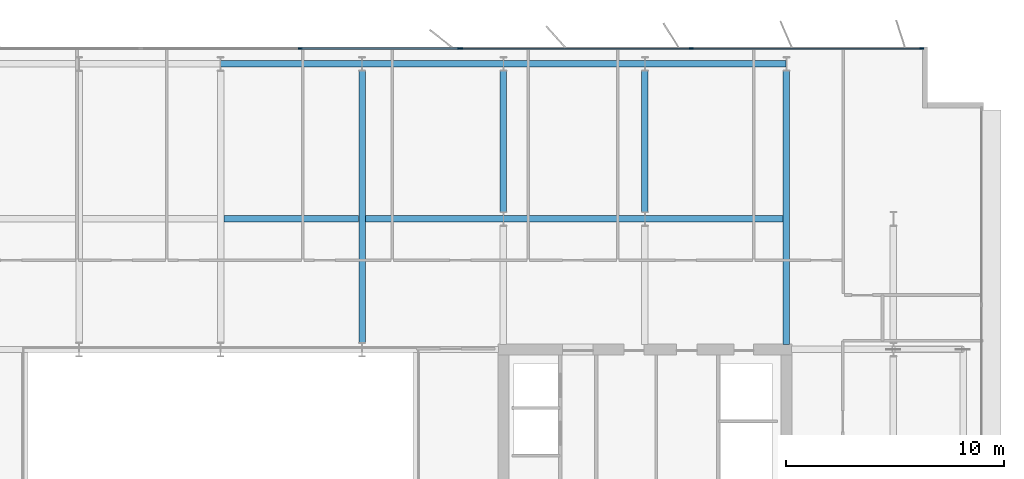
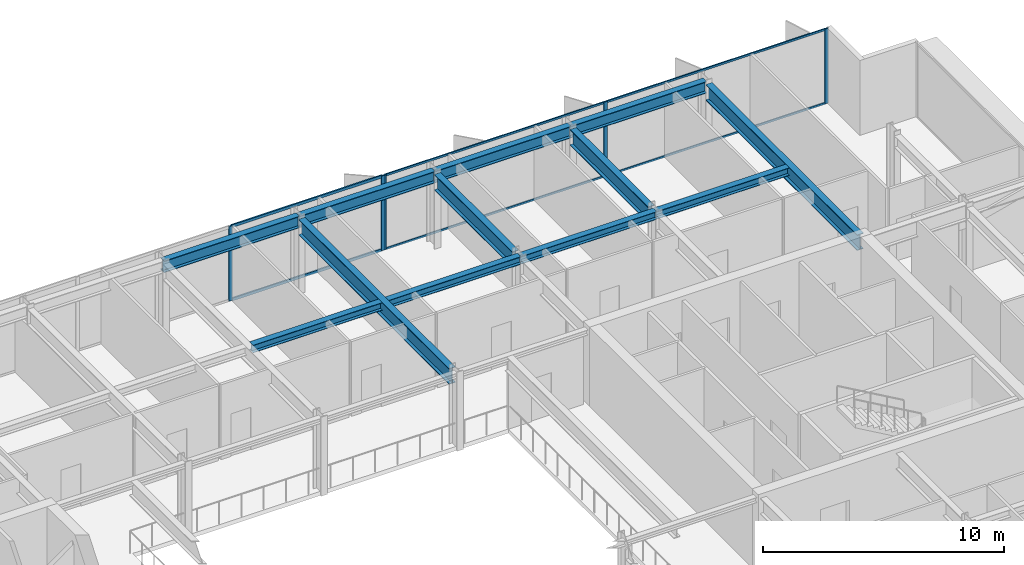
# One storey, part 9 of 20: 12 beams, 11 members, 2 elements without a shape of their own.
"""IFC4 building model written with IfcOpenShell, lengths in metres."""

from ifc_helpers import new_model, si_unit, direction, frame, origin, origin_2d, place, context, subcontext, project, spatial, rectangle, i_section, extrude, material, layer, layer_set, material_profile, profile_set, type_object, element, aggregate, save


model = new_model("IFC4")

# Units and contexts
model_context = context("Model", 3, precision=1e-05, world=origin(), true_north=direction((0.0, 1.0)))
body_context = subcontext(model_context, "Body", "Model", "MODEL_VIEW")
ifc_project = project(units=[si_unit("LENGTHUNIT", "METRE"), si_unit("AREAUNIT", "SQUARE_METRE"), si_unit("VOLUMEUNIT", "CUBIC_METRE"), si_unit("PLANEANGLEUNIT", "RADIAN"), si_unit("MASSUNIT", "GRAM", prefix="KILO")], contexts=[model_context])

# Site, building, storey
site_placement = place(None, origin())
site = spatial("IfcSite", under=ifc_project, at=site_placement, CompositionType="ELEMENT")
building_placement = place(site_placement, origin())
building = spatial("IfcBuilding", under=site, at=building_placement, Name="Putna Gate Headquarters", CompositionType="ELEMENT")
storey_placement = place(building_placement, frame((0.0, 0.0, 302.39990234375)))
storey = spatial("IfcBuildingStorey", under=building, at=storey_placement, Name="L76", CompositionType="ELEMENT", Elevation=302.39990234375)

# Beams
ifc_material_1 = material(Name="Steel S355J2", Category="steel")
ifc_material_profile_1 = material_profile(ifc_material_1, i_section(OverallWidth=0.300048828125, OverallDepth=0.800048828125, WebThickness=0.017578125, FlangeThickness=0.032958984375, at=origin_2d()), Name="Steel S355J2")
ifc_profile_set_1 = profile_set([ifc_material_profile_1], Name="Steel S355J2")
beam_type_1 = type_object("IfcBeamType", Name="BM-GIRD-P-HEB800", PredefinedType="USERDEFINED", material=ifc_profile_set_1)
beam_1_placement = place(storey_placement, frame((45.5, 33.322021484375, 3.38818359375), z_axis=(0.0, 1.0, 0.0), x_axis=(-1.0, 0.0, 0.0)))
element("IfcBeam", 1, at=beam_1_placement, inside=storey, type_object=beam_type_1, Name="L76 North Primary Girder X45", ObjectType="GIRDER", PredefinedType="USERDEFINED", context=body_context, shape_type="SweptSolid", body=[
    extrude(i_section(OverallWidth=0.300048828125, OverallDepth=0.800048828125, WebThickness=0.017578125, FlangeThickness=0.032958984375, at=origin_2d()), origin(), (0.0, 0.0, 1.0), 12.47607421875),
])
for number, where, z_axis, x_axis, name in (
    (2, (52.0, 39.322021484375, 3.38818359375), (0.0, 1.0, 0.0), (-1.0, 0.0, 0.0), "L76 North Primary Girder X52-2"),
    (3, (58.5, 39.322021484375, 3.38818359375), (0.0, 1.0, 0.0), (-1.0, 0.0, 0.0), "L76 North Primary Girder X58-2"),
):
    element("IfcBeam", number, at=place(storey_placement, frame(where, z_axis=z_axis, x_axis=x_axis)), inside=storey, type_object=beam_type_1, Name=name, ObjectType="GIRDER", PredefinedType="USERDEFINED", context=body_context, shape_type="SweptSolid", body=[
        extrude(i_section(OverallWidth=0.300048828125, OverallDepth=0.800048828125, WebThickness=0.017578125, FlangeThickness=0.032958984375, at=origin_2d()), origin(), (0.0, 0.0, 1.0), 6.47607421875),
    ])
beam_2_placement = place(storey_placement, frame((65.0, 33.235107421875, 3.38818359375), z_axis=(0.0, 1.0, 0.0), x_axis=(-1.0, 0.0, 0.0)))
element("IfcBeam", 4, at=beam_2_placement, inside=storey, type_object=beam_type_1, Name="L76 North Primary Girder X65", ObjectType="GIRDER", PredefinedType="USERDEFINED", context=body_context, shape_type="SweptSolid", body=[
    extrude(i_section(OverallWidth=0.300048828125, OverallDepth=0.800048828125, WebThickness=0.017578125, FlangeThickness=0.032958984375, at=origin_2d()), origin(), (0.0, 0.0, 1.0), 12.56298828125),
])
ifc_material_profile_2 = material_profile(ifc_material_1, i_section(OverallWidth=0.300048828125, OverallDepth=0.389892578125, WebThickness=0.010986328125, FlangeThickness=0.01904296875, at=origin_2d()), Name="Steel S355J2")
ifc_profile_set_2 = profile_set([ifc_material_profile_2], Name="Steel S355J2")
beam_type_2 = type_object("IfcBeamType", Name="BM-SEC-Z5-HEA400", PredefinedType="BEAM", material=ifc_profile_set_2)
beam_3_placement = place(storey_placement, frame((39.154052734375, 39.0, 3.593017578125), z_axis=(1.0, 0.0, 0.0), x_axis=(0.0, 1.0, 0.0)))
element("IfcBeam", 5, at=beam_3_placement, inside=storey, type_object=beam_type_2, Name="L76 North Secondary Beam 5", PredefinedType="BEAM", context=body_context, shape_type="SweptSolid", body=[
    extrude(i_section(OverallWidth=0.300048828125, OverallDepth=0.389892578125, WebThickness=0.010986328125, FlangeThickness=0.01904296875, at=origin_2d()), origin(), (0.0, 0.0, 1.0), 6.19189453125),
])
beam_4_placement = place(storey_placement, frame((45.654052734375, 39.0, 3.593017578125), z_axis=(1.0, 0.0, 0.0), x_axis=(0.0, 1.0, 0.0)))
element("IfcBeam", 6, at=beam_4_placement, inside=storey, type_object=beam_type_2, Name="L76 North Secondary Beam 6", PredefinedType="BEAM", context=body_context, shape_type="SweptSolid", body=[
    extrude(i_section(OverallWidth=0.300048828125, OverallDepth=0.389892578125, WebThickness=0.010986328125, FlangeThickness=0.01904296875, at=origin_2d()), origin(), (0.0, 0.0, 1.0), 6.33984375),
])
beam_5_placement = place(storey_placement, frame((52.006103515625, 39.0, 3.593017578125), z_axis=(1.0, 0.0, 0.0), x_axis=(0.0, 1.0, 0.0)))
element("IfcBeam", 7, at=beam_5_placement, inside=storey, type_object=beam_type_2, Name="L76 North Secondary Beam 7", PredefinedType="BEAM", context=body_context, shape_type="SweptSolid", body=[
    extrude(i_section(OverallWidth=0.300048828125, OverallDepth=0.389892578125, WebThickness=0.010986328125, FlangeThickness=0.01904296875, at=origin_2d()), origin(), (0.0, 0.0, 1.0), 6.48779296875),
])
beam_6_placement = place(storey_placement, frame((58.506103515625, 39.0, 3.593017578125), z_axis=(1.0, 0.0, 0.0), x_axis=(0.0, 1.0, 0.0)))
element("IfcBeam", 8, at=beam_6_placement, inside=storey, type_object=beam_type_2, Name="L76 North Secondary Beam 8", PredefinedType="BEAM", context=body_context, shape_type="SweptSolid", body=[
    extrude(i_section(OverallWidth=0.300048828125, OverallDepth=0.389892578125, WebThickness=0.010986328125, FlangeThickness=0.01904296875, at=origin_2d()), origin(), (0.0, 0.0, 1.0), 6.33984375),
])
ifc_material_profile_3 = material_profile(ifc_material_1, i_section(OverallWidth=0.300048828125, OverallDepth=0.590087890625, WebThickness=0.012939453125, FlangeThickness=0.02490234375, at=origin_2d()), Name="Steel S355J2")
ifc_profile_set_3 = profile_set([ifc_material_profile_3], Name="Steel S355J2")
beam_type_3 = type_object("IfcBeamType", Name="BM-SPAN-Z4-HEA600", PredefinedType="SPANDREL", material=ifc_profile_set_3)
for number, where, z_axis, x_axis, name in (
    (9, (39.006103515625, 46.1201171875, 3.4931640625), (1.0, 0.0, 0.0), (0.0, 1.0, 0.0), "L76 N Perimeter Spandrel 5"),
    (10, (45.506103515625, 46.1201171875, 3.4931640625), (1.0, 0.0, 0.0), (0.0, 1.0, 0.0), "L76 N Perimeter Spandrel 6"),
    (11, (52.006103515625, 46.1201171875, 3.4931640625), (1.0, 0.0, 0.0), (0.0, 1.0, 0.0), "L76 N Perimeter Spandrel 7"),
    (12, (58.506103515625, 46.1201171875, 3.4931640625), (1.0, 0.0, 0.0), (0.0, 1.0, 0.0), "L76 N Perimeter Spandrel 8"),
):
    element("IfcBeam", number, at=place(storey_placement, frame(where, z_axis=z_axis, x_axis=x_axis)), inside=storey, type_object=beam_type_3, Name=name, PredefinedType="SPANDREL", context=body_context, shape_type="SweptSolid", body=[
        extrude(i_section(OverallWidth=0.300048828125, OverallDepth=0.590087890625, WebThickness=0.012939453125, FlangeThickness=0.02490234375, at=origin_2d()), origin(), (0.0, 0.0, 1.0), 6.48779296875),
    ])

# Curtain wall, members
ifc_material_2 = material(Name="Anodised bronze aluminium curtain wall", Category="aluminium")
ifc_layer_1 = layer(ifc_material_2, 0.179931640625)
ifc_layer_set_1 = layer_set([ifc_layer_1], Name="Anodised bronze aluminium curtain wall")
curtain_wall_type_1 = type_object("IfcCurtainWallType", Name="CW-SYS-Z5", PredefinedType="USERDEFINED", material=ifc_layer_set_1)
curtain_wall_1_placement = place(storey_placement, origin())
curtain_wall_1 = element("IfcCurtainWall", 13, at=curtain_wall_1_placement, inside=storey, type_object=curtain_wall_type_1, Name="L76 North East Curtain Wall", ObjectType="STICK CURTAIN WALL", PredefinedType="USERDEFINED")
ifc_material_3 = material(Name="Anodised bronze aluminium EN AW-6060", Category="aluminium")
ifc_material_profile_4 = material_profile(ifc_material_3, rectangle(XDim=0.070068359375, YDim=0.179931640625, at=origin_2d()), Name="Anodised bronze aluminium EN AW-6060")
ifc_profile_set_4 = profile_set([ifc_material_profile_4], Name="Anodised bronze aluminium EN AW-6060")
member_type_1 = type_object("IfcMemberType", Name="MULL-CWM-5", PredefinedType="MULLION", material=ifc_profile_set_4)
member_1_placement = place(storey_placement, frame((50.034912109375, 46.820068359375, 0.0), z_axis=(0.0, 0.0, 1.0), x_axis=(0.0, 1.0, 0.0)))
member_1 = element("IfcMember", 14, at=member_1_placement, type_object=member_type_1, Name="CWS-5 mullion 1", PredefinedType="MULLION", context=body_context, shape_type="SweptSolid", body=[
    extrude(rectangle(XDim=0.070068359375, YDim=0.179931640625, at=origin_2d()), origin(), (0.0, 0.0, 1.0), 3.7880859375),
])
member_2_placement = place(storey_placement, frame((60.6259765625, 46.820068359375, 0.0), z_axis=(0.0, 0.0, 1.0), x_axis=(0.0, 1.0, 0.0)))
member_2 = element("IfcMember", 15, at=member_2_placement, type_object=member_type_1, Name="CWS-5 mullion 2", PredefinedType="MULLION", context=body_context, shape_type="SweptSolid", body=[
    extrude(rectangle(XDim=0.070068359375, YDim=0.179931640625, at=origin_2d()), origin(), (0.0, 0.0, 1.0), 3.7880859375),
])
member_3_placement = place(storey_placement, frame((71.217041015625, 46.820068359375, 0.0), z_axis=(0.0, 0.0, 1.0), x_axis=(0.0, 1.0, 0.0)))
member_3 = element("IfcMember", 16, at=member_3_placement, type_object=member_type_1, Name="CWS-5 mullion 3", PredefinedType="MULLION", context=body_context, shape_type="SweptSolid", body=[
    extrude(rectangle(XDim=0.070068359375, YDim=0.179931640625, at=origin_2d()), origin(), (0.0, 0.0, 1.0), 3.7880859375),
])

ifc_layer_2 = layer(ifc_material_2, 0.179931640625)
ifc_layer_set_2 = layer_set([ifc_layer_2], Name="Anodised bronze aluminium curtain wall")
curtain_wall_type_2 = type_object("IfcCurtainWallType", Name="CW-SYS-ATR", PredefinedType="USERDEFINED", material=ifc_layer_set_2)
curtain_wall_2_placement = place(storey_placement, origin())
curtain_wall_2 = element("IfcCurtainWall", 17, at=curtain_wall_2_placement, inside=storey, type_object=curtain_wall_type_2, Name="L76 North Atrium Clear Glazing", ObjectType="ATRIUM GLAZING", PredefinedType="USERDEFINED")
ifc_material_profile_5 = material_profile(ifc_material_3, rectangle(XDim=0.070068359375, YDim=0.179931640625, at=origin_2d()), Name="Anodised bronze aluminium EN AW-6060")
ifc_profile_set_5 = profile_set([ifc_material_profile_5], Name="Anodised bronze aluminium EN AW-6060")
member_type_2 = type_object("IfcMemberType", Name="MULL-CWM-AT", PredefinedType="MULLION", material=ifc_profile_set_5)
member_4_placement = place(storey_placement, frame((42.666748046875, 46.820068359375, 0.0), z_axis=(0.0, 0.0, 1.0), x_axis=(0.0, 1.0, 0.0)))
member_4 = element("IfcMember", 18, at=member_4_placement, type_object=member_type_2, Name="CWS-AT mullion 3", PredefinedType="MULLION", context=body_context, shape_type="SweptSolid", body=[
    extrude(rectangle(XDim=0.070068359375, YDim=0.179931640625, at=origin_2d()), origin(), (0.0, 0.0, 1.0), 3.7880859375),
])
member_5_placement = place(storey_placement, frame((49.965087890625, 46.820068359375, 0.0), z_axis=(0.0, 0.0, 1.0), x_axis=(0.0, 1.0, 0.0)))
member_5 = element("IfcMember", 19, at=member_5_placement, type_object=member_type_2, Name="CWS-AT mullion 4", PredefinedType="MULLION", context=body_context, shape_type="SweptSolid", body=[
    extrude(rectangle(XDim=0.070068359375, YDim=0.179931640625, at=origin_2d()), origin(), (0.0, 0.0, 1.0), 3.7880859375),
])

# Member
ifc_material_profile_6 = material_profile(ifc_material_3, rectangle(XDim=0.06005859375, YDim=0.10009765625, at=origin_2d()), Name="Anodised bronze aluminium EN AW-6060")
ifc_profile_set_6 = profile_set([ifc_material_profile_6], Name="Anodised bronze aluminium EN AW-6060")
member_type_3 = type_object("IfcMemberType", Name="TRAN-CWT-5", PredefinedType="USERDEFINED", material=ifc_profile_set_6)
member_6_placement = place(storey_placement, frame((50.070068359375, 46.820068359375, 0.030029296875), z_axis=(1.0, 0.0, 0.0), x_axis=(0.0, 1.0, 0.0)))
member_6 = element("IfcMember", 20, at=member_6_placement, type_object=member_type_3, Name="CWS-5 transom 1.1", ObjectType="TRANSOM", PredefinedType="USERDEFINED", context=body_context, shape_type="SweptSolid", body=[
    extrude(rectangle(XDim=0.06005859375, YDim=0.10009765625, at=origin_2d()), origin(), (0.0, 0.0, 1.0), 10.52099609375),
])

member_7_placement = place(storey_placement, frame((50.070068359375, 46.820068359375, 3.758056640625), z_axis=(1.0, 0.0, 0.0), x_axis=(0.0, 1.0, 0.0)))
member_7 = element("IfcMember", 21, at=member_7_placement, type_object=member_type_3, Name="CWS-5 transom 1.2", ObjectType="TRANSOM", PredefinedType="USERDEFINED", context=body_context, shape_type="SweptSolid", body=[
    extrude(rectangle(XDim=0.06005859375, YDim=0.10009765625, at=origin_2d()), origin(), (0.0, 0.0, 1.0), 10.52099609375),
])

member_8_placement = place(storey_placement, frame((60.6611328125, 46.820068359375, 0.030029296875), z_axis=(1.0, 0.0, 0.0), x_axis=(0.0, 1.0, 0.0)))
member_8 = element("IfcMember", 22, at=member_8_placement, type_object=member_type_3, Name="CWS-5 transom 2.1", ObjectType="TRANSOM", PredefinedType="USERDEFINED", context=body_context, shape_type="SweptSolid", body=[
    extrude(rectangle(XDim=0.06005859375, YDim=0.10009765625, at=origin_2d()), origin(), (0.0, 0.0, 1.0), 10.52099609375),
])

member_9_placement = place(storey_placement, frame((60.6611328125, 46.820068359375, 3.758056640625), z_axis=(1.0, 0.0, 0.0), x_axis=(0.0, 1.0, 0.0)))
member_9 = element("IfcMember", 23, at=member_9_placement, type_object=member_type_3, Name="CWS-5 transom 2.2", ObjectType="TRANSOM", PredefinedType="USERDEFINED", context=body_context, shape_type="SweptSolid", body=[
    extrude(rectangle(XDim=0.06005859375, YDim=0.10009765625, at=origin_2d()), origin(), (0.0, 0.0, 1.0), 10.52099609375),
])

aggregate(curtain_wall_1, [member_1, member_2, member_3, member_6, member_7, member_8, member_9])

ifc_material_profile_7 = material_profile(ifc_material_3, rectangle(XDim=0.070068359375, YDim=0.139892578125, at=origin_2d()), Name="Anodised bronze aluminium EN AW-6060")
ifc_profile_set_7 = profile_set([ifc_material_profile_7], Name="Anodised bronze aluminium EN AW-6060")
member_type_4 = type_object("IfcMemberType", Name="TRAN-CWT-AT", PredefinedType="USERDEFINED", material=ifc_profile_set_7)
member_10_placement = place(storey_placement, frame((42.70166015625, 46.820068359375, 0.03515625), z_axis=(1.0, 0.0, 0.0), x_axis=(0.0, 1.0, 0.0)))
member_10 = element("IfcMember", 24, at=member_10_placement, type_object=member_type_4, Name="CWS-AT transom 3.1", ObjectType="TRANSOM", PredefinedType="USERDEFINED", context=body_context, shape_type="SweptSolid", body=[
    extrude(rectangle(XDim=0.070068359375, YDim=0.139892578125, at=origin_2d()), origin(), (0.0, 0.0, 1.0), 7.228271484375),
])

member_11_placement = place(storey_placement, frame((42.70166015625, 46.820068359375, 3.753173828125), z_axis=(1.0, 0.0, 0.0), x_axis=(0.0, 1.0, 0.0)))
member_11 = element("IfcMember", 25, at=member_11_placement, type_object=member_type_4, Name="CWS-AT transom 3.2", ObjectType="TRANSOM", PredefinedType="USERDEFINED", context=body_context, shape_type="SweptSolid", body=[
    extrude(rectangle(XDim=0.070068359375, YDim=0.139892578125, at=origin_2d()), origin(), (0.0, 0.0, 1.0), 7.228271484375),
])

aggregate(curtain_wall_2, [member_4, member_5, member_10, member_11])

save(model, "model.ifc")
